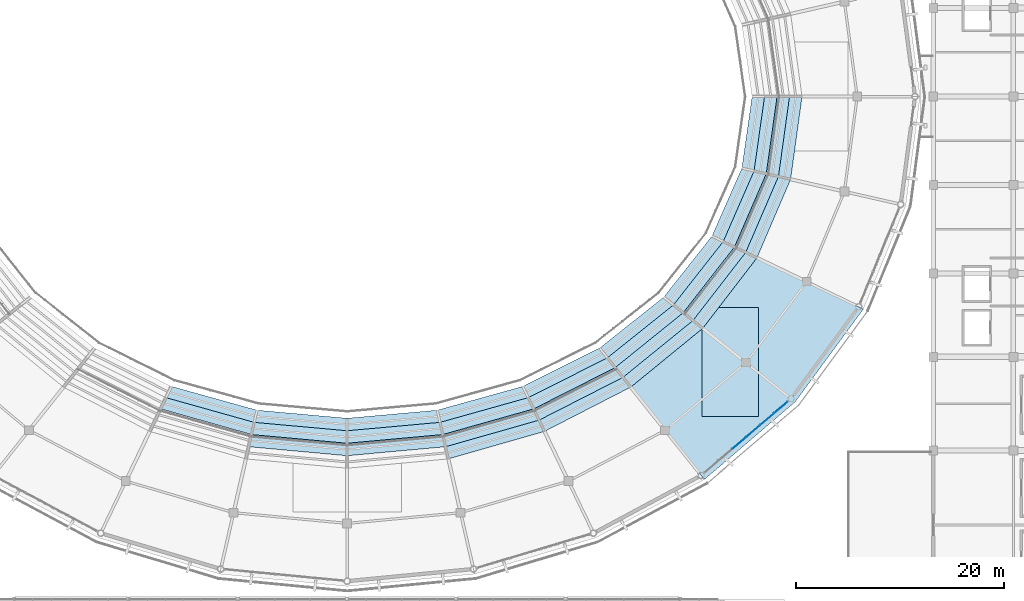
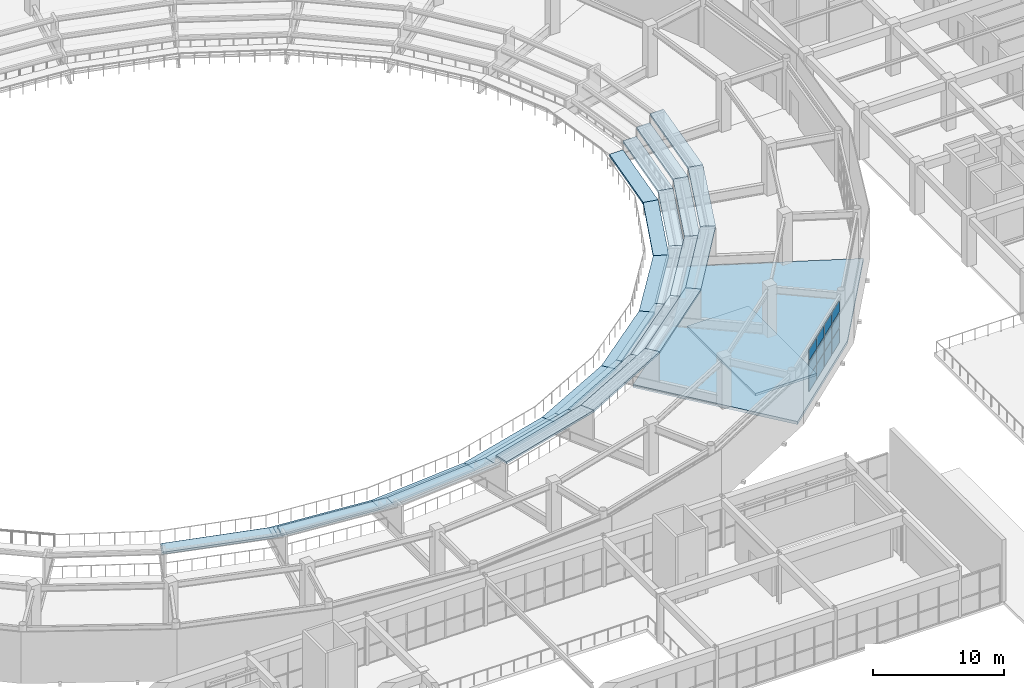
# One storey, part 82 of 122: 34 slabs, 12 plates, 1 element without a shape of its own.
"""IFC4 building model written with IfcOpenShell, lengths in metres."""

from ifc_helpers import new_model, si_unit, direction, frame, origin, origin_2d, place, context, subcontext, project, spatial, polyline, rectangle, outline, extrude, material, layer, layer_set, type_object, element, aggregate, save


model = new_model("IFC4")

# Units and contexts
model_context = context("Model", 3, precision=1e-05, world=origin(), true_north=direction((0.0, 1.0)))
body_context = subcontext(model_context, "Body", "Model", "MODEL_VIEW")
ifc_project = project(units=[si_unit("LENGTHUNIT", "METRE"), si_unit("AREAUNIT", "SQUARE_METRE"), si_unit("VOLUMEUNIT", "CUBIC_METRE"), si_unit("PLANEANGLEUNIT", "RADIAN"), si_unit("MASSUNIT", "GRAM", prefix="KILO")], contexts=[model_context])

# Site, building, storey
site_placement = place(None, origin())
site = spatial("IfcSite", under=ifc_project, at=site_placement, CompositionType="ELEMENT")
building_placement = place(site_placement, origin())
building = spatial("IfcBuilding", under=site, at=building_placement, Name="Cuetzalor Civic Arena", CompositionType="ELEMENT")
storey_placement = place(building_placement, frame((0.0, 0.0, 16.199951171875)))
storey = spatial("IfcBuildingStorey", under=building, at=storey_placement, Name="L03", CompositionType="ELEMENT", Elevation=16.199951171875)

# Curtain wall, plates
ifc_material_1 = material(Name="Anodised dark bronze aluminium and low-E solar glass", Category="aluminium")
curtain_wall_type = type_object("IfcCurtainWallType", Name="UnitisedCW_10550x4050", PredefinedType="USERDEFINED", material=ifc_material_1)
curtain_wall_placement = place(storey_placement, origin())
curtain_wall = element("IfcCurtainWall", 1, at=curtain_wall_placement, inside=storey, type_object=curtain_wall_type, Name="Drum Triangle Foyer Curtain Wall L03-055", ObjectType="UNITISED CURTAIN WALL", PredefinedType="USERDEFINED")
ifc_material_2 = material(Name="Acoustic laminated solar control glass", Category="glass")
ifc_layer_1 = layer(ifc_material_2, 0.0439453125)
ifc_layer_set_1 = layer_set([ifc_layer_1], Name="Acoustic laminated solar control glass")
plate_type = type_object("IfcPlateType", Name="AcousticTripleGlazedPanel_44", PredefinedType="CURTAIN_PANEL", material=ifc_layer_set_1)
plate_1_placement = place(storey_placement, frame((41.655517578125, -29.87109375, 0.06494140625), z_axis=(0.0, 0.0, 1.0), x_axis=(-0.760677142663, -0.64913040649, 0.0)))
plate_1 = element("IfcPlate", 2, at=plate_1_placement, type_object=plate_type, Name="CW-16 panel 1.1", PredefinedType="CURTAIN_PANEL", context=body_context, shape_type="SweptSolid", body=[
    extrude(rectangle(XDim=1.65771484375, YDim=0.0439453125, at=origin_2d()), origin(), (0.0, 0.0, 1.0), 1.361572265625),
])
plate_2_placement = place(storey_placement, frame((41.655517578125, -29.87109375, 1.491455078125), z_axis=(0.0, 0.0, 1.0), x_axis=(-0.760677142663, -0.64913040649, 0.0)))
plate_2 = element("IfcPlate", 3, at=plate_2_placement, type_object=plate_type, Name="CW-16 panel 1.2", PredefinedType="CURTAIN_PANEL", context=body_context, shape_type="SweptSolid", body=[
    extrude(rectangle(XDim=1.65771484375, YDim=0.0439453125, at=origin_2d()), origin(), (0.0, 0.0, 1.0), 1.39404296875),
])
plate_3_placement = place(storey_placement, frame((41.655517578125, -29.87109375, 2.950439453125), z_axis=(0.0, 0.0, 1.0), x_axis=(-0.760677142663, -0.64913040649, 0.0)))
plate_3 = element("IfcPlate", 4, at=plate_3_placement, type_object=plate_type, Name="CW-16 panel 1.3", PredefinedType="CURTAIN_PANEL", context=body_context, shape_type="SweptSolid", body=[
    extrude(rectangle(XDim=1.65771484375, YDim=0.0439453125, at=origin_2d()), origin(), (0.0, 0.0, 1.0), 1.03759765625),
])
plate_4_placement = place(storey_placement, frame((40.332763671875, -31.0, 0.06494140625), z_axis=(0.0, 0.0, 1.0), x_axis=(-0.760677142663, -0.64913040649, 0.0)))
plate_4 = element("IfcPlate", 5, at=plate_4_placement, type_object=plate_type, Name="CW-16 panel 2.1", PredefinedType="CURTAIN_PANEL", context=body_context, shape_type="SweptSolid", body=[
    extrude(rectangle(XDim=1.690185546875, YDim=0.0439453125, at=origin_2d()), origin(), (0.0, 0.0, 1.0), 1.361572265625),
])
plate_5_placement = place(storey_placement, frame((40.332763671875, -31.0, 1.491455078125), z_axis=(0.0, 0.0, 1.0), x_axis=(-0.760677142663, -0.64913040649, 0.0)))
plate_5 = element("IfcPlate", 6, at=plate_5_placement, type_object=plate_type, Name="CW-16 panel 2.2", PredefinedType="CURTAIN_PANEL", context=body_context, shape_type="SweptSolid", body=[
    extrude(rectangle(XDim=1.690185546875, YDim=0.0439453125, at=origin_2d()), origin(), (0.0, 0.0, 1.0), 1.39404296875),
])
plate_6_placement = place(storey_placement, frame((40.332763671875, -31.0, 2.950439453125), z_axis=(0.0, 0.0, 1.0), x_axis=(-0.760677142663, -0.64913040649, 0.0)))
plate_6 = element("IfcPlate", 7, at=plate_6_placement, type_object=plate_type, Name="CW-16 panel 2.3", PredefinedType="CURTAIN_PANEL", context=body_context, shape_type="SweptSolid", body=[
    extrude(rectangle(XDim=1.690185546875, YDim=0.0439453125, at=origin_2d()), origin(), (0.0, 0.0, 1.0), 1.03759765625),
])
plate_7_placement = place(storey_placement, frame((38.997802734375, -32.13916015625, 0.06494140625), z_axis=(0.0, 0.0, 1.0), x_axis=(-0.760677142663, -0.64913040649, 0.0)))
plate_7 = element("IfcPlate", 8, at=plate_7_placement, type_object=plate_type, Name="CW-16 panel 3.1", PredefinedType="CURTAIN_PANEL", context=body_context, shape_type="SweptSolid", body=[
    extrude(rectangle(XDim=1.690185546875, YDim=0.0439453125, at=origin_2d()), origin(), (0.0, 0.0, 1.0), 1.361572265625),
])
plate_8_placement = place(storey_placement, frame((38.997802734375, -32.13916015625, 1.491455078125), z_axis=(0.0, 0.0, 1.0), x_axis=(-0.760677142663, -0.64913040649, 0.0)))
plate_8 = element("IfcPlate", 9, at=plate_8_placement, type_object=plate_type, Name="CW-16 panel 3.2", PredefinedType="CURTAIN_PANEL", context=body_context, shape_type="SweptSolid", body=[
    extrude(rectangle(XDim=1.690185546875, YDim=0.0439453125, at=origin_2d()), origin(), (0.0, 0.0, 1.0), 1.39404296875),
])
plate_9_placement = place(storey_placement, frame((38.997802734375, -32.13916015625, 2.950439453125), z_axis=(0.0, 0.0, 1.0), x_axis=(-0.760677142663, -0.64913040649, 0.0)))
plate_9 = element("IfcPlate", 10, at=plate_9_placement, type_object=plate_type, Name="CW-16 panel 3.3", PredefinedType="CURTAIN_PANEL", context=body_context, shape_type="SweptSolid", body=[
    extrude(rectangle(XDim=1.690185546875, YDim=0.0439453125, at=origin_2d()), origin(), (0.0, 0.0, 1.0), 1.03759765625),
])
plate_10_placement = place(storey_placement, frame((37.66259765625, -33.278564453125, 0.06494140625), z_axis=(0.0, 0.0, 1.0), x_axis=(-0.760677142663, -0.64913040649, 0.0)))
plate_10 = element("IfcPlate", 11, at=plate_10_placement, type_object=plate_type, Name="CW-16 panel 4.1", PredefinedType="CURTAIN_PANEL", context=body_context, shape_type="SweptSolid", body=[
    extrude(rectangle(XDim=1.690185546875, YDim=0.0439453125, at=origin_2d()), origin(), (0.0, 0.0, 1.0), 1.361572265625),
])
plate_11_placement = place(storey_placement, frame((37.66259765625, -33.278564453125, 1.491455078125), z_axis=(0.0, 0.0, 1.0), x_axis=(-0.760677142663, -0.64913040649, 0.0)))
plate_11 = element("IfcPlate", 12, at=plate_11_placement, type_object=plate_type, Name="CW-16 panel 4.2", PredefinedType="CURTAIN_PANEL", context=body_context, shape_type="SweptSolid", body=[
    extrude(rectangle(XDim=1.690185546875, YDim=0.0439453125, at=origin_2d()), origin(), (0.0, 0.0, 1.0), 1.39404296875),
])
plate_12_placement = place(storey_placement, frame((37.66259765625, -33.278564453125, 2.950439453125), z_axis=(0.0, 0.0, 1.0), x_axis=(-0.760677142663, -0.64913040649, 0.0)))
plate_12 = element("IfcPlate", 13, at=plate_12_placement, type_object=plate_type, Name="CW-16 panel 4.3", PredefinedType="CURTAIN_PANEL", context=body_context, shape_type="SweptSolid", body=[
    extrude(rectangle(XDim=1.690185546875, YDim=0.0439453125, at=origin_2d()), origin(), (0.0, 0.0, 1.0), 1.03759765625),
])
aggregate(curtain_wall, [plate_1, plate_2, plate_3, plate_4, plate_5, plate_6, plate_7, plate_8, plate_9, plate_10, plate_11, plate_12])

# Slabs
ifc_material_3 = material(Name="Concrete C40/50", Category="concrete")
ifc_layer_2 = layer(ifc_material_3, 0.219970703125)
ifc_layer_set_2 = layer_set([ifc_layer_2], Name="Concrete C40/50")
slab_type_1 = type_object("IfcSlabType", Name="LiftShaftRoofCapSlab_220", PredefinedType="ROOF", material=ifc_layer_set_2)
slab_1_placement = place(storey_placement, frame((0.0, 0.0, -1.199951171875)))
element("IfcSlab", 14, at=slab_1_placement, inside=storey, type_object=slab_type_1, Name="Stair Core Enclosure Cap Slab ST-08", PredefinedType="ROOF", context=body_context, shape_type="SweptSolid", body=[
    extrude(outline(polyline([(34.080078125, -30.719970703125), (39.52001953125, -30.719970703125), (39.52001953125, -20.280029296875), (34.080078125, -20.280029296875), (34.080078125, -30.719970703125)])), origin(), (0.0, 0.0, 1.0), 0.219970703125),
])
ifc_material_4 = material(Name="Concrete C35/45", Category="concrete")
ifc_layer_3 = layer(ifc_material_4, 0.280029296875)
ifc_layer_set_3 = layer_set([ifc_layer_3], Name="Concrete C35/45")
slab_type_2 = type_object("IfcSlabType", Name="SuspendedFloorSlab_280", PredefinedType="FLOOR", material=ifc_layer_set_3)
slab_2_placement = place(storey_placement, frame((0.0, 0.0, -0.280029296875)))
element("IfcSlab", 15, at=slab_2_placement, inside=storey, type_object=slab_type_2, Name="Arena Concourse Sector Slab L03-13", PredefinedType="FLOOR", context=body_context, shape_type="SweptSolid", body=[
    extrude(outline(polyline([(25.874755859375, -26.19140625), (32.446044921875, -20.886962890625), (37.39013671875, -14.53515625), (49.598388671875, -20.414306640625), (43.039794921875, -29.335205078125), (34.322998046875, -36.78515625), (25.874755859375, -26.19140625)])), origin(), (0.0, 0.0, 1.0), 0.280029296875),
])
ifc_material_5 = material(Name="Precast concrete C45/55", Category="concrete")
ifc_layer_4 = layer(ifc_material_5, 0.195068359375)
ifc_layer_set_4 = layer_set([ifc_layer_4], Name="Precast concrete C45/55")
slab_type_3 = type_object("IfcSlabType", Name="UpperBowlSeatingTier_160", PredefinedType="USERDEFINED", material=ifc_layer_set_4)
slab_3_placement = place(storey_placement, frame((0.0, 0.0, 0.9111328125)))
element("IfcSlab", 16, at=slab_3_placement, inside=storey, type_object=slab_type_3, Name="Stand Upper Tier Bay 20 Row 1", ObjectType="SEATING TIER", PredefinedType="USERDEFINED", context=body_context, shape_type="SweptSolid", body=[
    extrude(outline(polyline([(-16.878173828125, -27.83984375), (-8.656005859375, -30.125244140625), (-8.923095703125, -31.295166015625), (-17.398681640625, -28.921142578125), (-16.878173828125, -27.83984375)])), origin(), (0.0, 0.0, 1.0), 0.19482421875),
])
slab_4_placement = place(storey_placement, frame((0.0, 0.0, 1.755126953125)))
element("IfcSlab", 17, at=slab_4_placement, inside=storey, type_object=slab_type_3, Name="Stand Upper Tier Bay 20 Row 2", ObjectType="SEATING TIER", PredefinedType="USERDEFINED", context=body_context, shape_type="SweptSolid", body=[
    extrude(outline(polyline([(-17.398681640625, -28.921142578125), (-8.923095703125, -31.295166015625), (-9.190185546875, -32.465087890625), (-17.91943359375, -30.002197265625), (-17.398681640625, -28.921142578125)])), origin(), (0.0, 0.0, 1.0), 0.19482421875),
])
slab_5_placement = place(storey_placement, frame((0.0, 0.0, 0.9111328125)))
element("IfcSlab", 18, at=slab_5_placement, inside=storey, type_object=slab_type_3, Name="Stand Upper Tier Bay 21 Row 1", ObjectType="SEATING TIER", PredefinedType="USERDEFINED", context=body_context, shape_type="SweptSolid", body=[
    extrude(outline(polyline([(-8.656005859375, -30.125244140625), (0.0, -30.89990234375), (0.0, -32.10009765625), (-8.923095703125, -31.295166015625), (-8.656005859375, -30.125244140625)])), origin(), (0.0, 0.0, 1.0), 0.19482421875),
])
slab_6_placement = place(storey_placement, frame((0.0, 0.0, 1.755126953125)))
element("IfcSlab", 19, at=slab_6_placement, inside=storey, type_object=slab_type_3, Name="Stand Upper Tier Bay 21 Row 2", ObjectType="SEATING TIER", PredefinedType="USERDEFINED", context=body_context, shape_type="SweptSolid", body=[
    extrude(outline(polyline([(-8.923095703125, -31.295166015625), (0.0, -32.10009765625), (0.0, -33.300048828125), (-9.190185546875, -32.465087890625), (-8.923095703125, -31.295166015625)])), origin(), (0.0, 0.0, 1.0), 0.19482421875),
])
slab_7_placement = place(storey_placement, frame((0.0, 0.0, 2.60498046875)))
element("IfcSlab", 20, at=slab_7_placement, inside=storey, type_object=slab_type_3, Name="Stand Upper Tier Bay 21 Row 3", ObjectType="SEATING TIER", PredefinedType="USERDEFINED", context=body_context, shape_type="SweptSolid", body=[
    extrude(outline(polyline([(-9.190185546875, -32.465087890625), (0.0, -33.300048828125), (0.0, -34.5), (-9.45703125, -33.635009765625), (-9.190185546875, -32.465087890625)])), origin(), (0.0, 0.0, 1.0), 0.195068359375),
])
slab_8_placement = place(storey_placement, frame((0.0, 0.0, 0.9111328125)))
element("IfcSlab", 21, at=slab_8_placement, inside=storey, type_object=slab_type_3, Name="Stand Upper Tier Bay 22 Row 1", ObjectType="SEATING TIER", PredefinedType="USERDEFINED", context=body_context, shape_type="SweptSolid", body=[
    extrude(outline(polyline([(0.0, -30.89990234375), (8.656005859375, -30.125244140625), (8.923095703125, -31.295166015625), (0.0, -32.10009765625), (0.0, -30.89990234375)])), origin(), (0.0, 0.0, 1.0), 0.19482421875),
])
slab_9_placement = place(storey_placement, frame((0.0, 0.0, 1.755126953125)))
element("IfcSlab", 22, at=slab_9_placement, inside=storey, type_object=slab_type_3, Name="Stand Upper Tier Bay 22 Row 2", ObjectType="SEATING TIER", PredefinedType="USERDEFINED", context=body_context, shape_type="SweptSolid", body=[
    extrude(outline(polyline([(0.0, -32.10009765625), (8.923095703125, -31.295166015625), (9.190185546875, -32.465087890625), (0.0, -33.300048828125), (0.0, -32.10009765625)])), origin(), (0.0, 0.0, 1.0), 0.19482421875),
])
slab_10_placement = place(storey_placement, frame((0.0, 0.0, 2.60498046875)))
element("IfcSlab", 23, at=slab_10_placement, inside=storey, type_object=slab_type_3, Name="Stand Upper Tier Bay 22 Row 3", ObjectType="SEATING TIER", PredefinedType="USERDEFINED", context=body_context, shape_type="SweptSolid", body=[
    extrude(outline(polyline([(0.0, -33.300048828125), (9.190185546875, -32.465087890625), (9.45703125, -33.635009765625), (0.0, -34.5), (0.0, -33.300048828125)])), origin(), (0.0, 0.0, 1.0), 0.195068359375),
])
slab_11_placement = place(storey_placement, frame((0.0, 0.0, 0.9111328125)))
element("IfcSlab", 24, at=slab_11_placement, inside=storey, type_object=slab_type_3, Name="Stand Upper Tier Bay 23 Row 1", ObjectType="SEATING TIER", PredefinedType="USERDEFINED", context=body_context, shape_type="SweptSolid", body=[
    extrude(outline(polyline([(8.656005859375, -30.125244140625), (16.878173828125, -27.83984375), (17.398681640625, -28.921142578125), (8.923095703125, -31.295166015625), (8.656005859375, -30.125244140625)])), origin(), (0.0, 0.0, 1.0), 0.19482421875),
])
slab_12_placement = place(storey_placement, frame((0.0, 0.0, 1.755126953125)))
element("IfcSlab", 25, at=slab_12_placement, inside=storey, type_object=slab_type_3, Name="Stand Upper Tier Bay 23 Row 2", ObjectType="SEATING TIER", PredefinedType="USERDEFINED", context=body_context, shape_type="SweptSolid", body=[
    extrude(outline(polyline([(8.923095703125, -31.295166015625), (17.398681640625, -28.921142578125), (17.91943359375, -30.002197265625), (9.190185546875, -32.465087890625), (8.923095703125, -31.295166015625)])), origin(), (0.0, 0.0, 1.0), 0.19482421875),
])
slab_13_placement = place(storey_placement, frame((0.0, 0.0, 2.60498046875)))
element("IfcSlab", 26, at=slab_13_placement, inside=storey, type_object=slab_type_3, Name="Stand Upper Tier Bay 23 Row 3", ObjectType="SEATING TIER", PredefinedType="USERDEFINED", context=body_context, shape_type="SweptSolid", body=[
    extrude(outline(polyline([(9.190185546875, -32.465087890625), (17.91943359375, -30.002197265625), (18.440185546875, -31.08349609375), (9.45703125, -33.635009765625), (9.190185546875, -32.465087890625)])), origin(), (0.0, 0.0, 1.0), 0.195068359375),
])
slab_14_placement = place(storey_placement, frame((0.0, 0.0, 3.455078125)))
element("IfcSlab", 27, at=slab_14_placement, inside=storey, type_object=slab_type_3, Name="Stand Upper Tier Bay 23 Row 4", ObjectType="SEATING TIER", PredefinedType="USERDEFINED", context=body_context, shape_type="SweptSolid", body=[
    extrude(outline(polyline([(9.45703125, -33.635009765625), (18.440185546875, -31.08349609375), (18.960693359375, -32.16455078125), (9.72412109375, -34.804931640625), (9.45703125, -33.635009765625)])), origin(), (0.0, 0.0, 1.0), 0.195068359375),
])
slab_15_placement = place(storey_placement, frame((0.0, 0.0, 0.9111328125)))
element("IfcSlab", 28, at=slab_15_placement, inside=storey, type_object=slab_type_3, Name="Stand Upper Tier Bay 24 Row 1", ObjectType="SEATING TIER", PredefinedType="USERDEFINED", context=body_context, shape_type="SweptSolid", body=[
    extrude(outline(polyline([(16.878173828125, -27.83984375), (24.25390625, -24.15869140625), (25.001953125, -25.0966796875), (17.398681640625, -28.921142578125), (16.878173828125, -27.83984375)])), origin(), (0.0, 0.0, 1.0), 0.19482421875),
])
slab_16_placement = place(storey_placement, frame((0.0, 0.0, 1.755126953125)))
element("IfcSlab", 29, at=slab_16_placement, inside=storey, type_object=slab_type_3, Name="Stand Upper Tier Bay 24 Row 2", ObjectType="SEATING TIER", PredefinedType="USERDEFINED", context=body_context, shape_type="SweptSolid", body=[
    extrude(outline(polyline([(17.398681640625, -28.921142578125), (25.001953125, -25.0966796875), (25.75, -26.034912109375), (17.91943359375, -30.002197265625), (17.398681640625, -28.921142578125)])), origin(), (0.0, 0.0, 1.0), 0.19482421875),
])
slab_17_placement = place(storey_placement, frame((0.0, 0.0, 2.60498046875)))
element("IfcSlab", 30, at=slab_17_placement, inside=storey, type_object=slab_type_3, Name="Stand Upper Tier Bay 24 Row 3", ObjectType="SEATING TIER", PredefinedType="USERDEFINED", context=body_context, shape_type="SweptSolid", body=[
    extrude(outline(polyline([(17.91943359375, -30.002197265625), (25.75, -26.034912109375), (26.498291015625, -26.97314453125), (18.440185546875, -31.08349609375), (17.91943359375, -30.002197265625)])), origin(), (0.0, 0.0, 1.0), 0.195068359375),
])
slab_18_placement = place(storey_placement, frame((0.0, 0.0, 3.455078125)))
element("IfcSlab", 31, at=slab_18_placement, inside=storey, type_object=slab_type_3, Name="Stand Upper Tier Bay 24 Row 4", ObjectType="SEATING TIER", PredefinedType="USERDEFINED", context=body_context, shape_type="SweptSolid", body=[
    extrude(outline(polyline([(18.440185546875, -31.08349609375), (26.498291015625, -26.97314453125), (27.24658203125, -27.911376953125), (18.960693359375, -32.16455078125), (18.440185546875, -31.08349609375)])), origin(), (0.0, 0.0, 1.0), 0.195068359375),
])
slab_19_placement = place(storey_placement, frame((0.0, 0.0, 0.9111328125)))
element("IfcSlab", 32, at=slab_19_placement, inside=storey, type_object=slab_type_3, Name="Stand Upper Tier Bay 25 Row 1", ObjectType="SEATING TIER", PredefinedType="USERDEFINED", context=body_context, shape_type="SweptSolid", body=[
    extrude(outline(polyline([(24.25390625, -24.15869140625), (30.4130859375, -19.265869140625), (31.351318359375, -20.013916015625), (25.001953125, -25.0966796875), (24.25390625, -24.15869140625)])), origin(), (0.0, 0.0, 1.0), 0.19482421875),
])
slab_20_placement = place(storey_placement, frame((0.0, 0.0, 1.755126953125)))
element("IfcSlab", 33, at=slab_20_placement, inside=storey, type_object=slab_type_3, Name="Stand Upper Tier Bay 25 Row 2", ObjectType="SEATING TIER", PredefinedType="USERDEFINED", context=body_context, shape_type="SweptSolid", body=[
    extrude(outline(polyline([(25.001953125, -25.0966796875), (31.351318359375, -20.013916015625), (32.28955078125, -20.76220703125), (25.75, -26.034912109375), (25.001953125, -25.0966796875)])), origin(), (0.0, 0.0, 1.0), 0.19482421875),
])
slab_21_placement = place(storey_placement, frame((0.0, 0.0, 2.60498046875)))
element("IfcSlab", 34, at=slab_21_placement, inside=storey, type_object=slab_type_3, Name="Stand Upper Tier Bay 25 Row 3", ObjectType="SEATING TIER", PredefinedType="USERDEFINED", context=body_context, shape_type="SweptSolid", body=[
    extrude(outline(polyline([(25.75, -26.034912109375), (32.28955078125, -20.76220703125), (33.227783203125, -21.510498046875), (26.498291015625, -26.97314453125), (25.75, -26.034912109375)])), origin(), (0.0, 0.0, 1.0), 0.195068359375),
])
slab_22_placement = place(storey_placement, frame((0.0, 0.0, 3.455078125)))
element("IfcSlab", 35, at=slab_22_placement, inside=storey, type_object=slab_type_3, Name="Stand Upper Tier Bay 25 Row 4", ObjectType="SEATING TIER", PredefinedType="USERDEFINED", context=body_context, shape_type="SweptSolid", body=[
    extrude(outline(polyline([(26.498291015625, -26.97314453125), (33.227783203125, -21.510498046875), (34.166015625, -22.258544921875), (27.24658203125, -27.911376953125), (26.498291015625, -26.97314453125)])), origin(), (0.0, 0.0, 1.0), 0.195068359375),
])
slab_23_placement = place(storey_placement, frame((0.0, 0.0, 0.9111328125)))
element("IfcSlab", 36, at=slab_23_placement, inside=storey, type_object=slab_type_3, Name="Stand Upper Tier Bay 26 Row 1", ObjectType="SEATING TIER", PredefinedType="USERDEFINED", context=body_context, shape_type="SweptSolid", body=[
    extrude(outline(polyline([(30.4130859375, -19.265869140625), (35.047607421875, -13.406982421875), (36.12890625, -13.927734375), (31.351318359375, -20.013916015625), (30.4130859375, -19.265869140625)])), origin(), (0.0, 0.0, 1.0), 0.19482421875),
])
slab_24_placement = place(storey_placement, frame((0.0, 0.0, 1.755126953125)))
element("IfcSlab", 37, at=slab_24_placement, inside=storey, type_object=slab_type_3, Name="Stand Upper Tier Bay 26 Row 2", ObjectType="SEATING TIER", PredefinedType="USERDEFINED", context=body_context, shape_type="SweptSolid", body=[
    extrude(outline(polyline([(31.351318359375, -20.013916015625), (36.12890625, -13.927734375), (37.2099609375, -14.4482421875), (32.28955078125, -20.76220703125), (31.351318359375, -20.013916015625)])), origin(), (0.0, 0.0, 1.0), 0.19482421875),
])
slab_25_placement = place(storey_placement, frame((0.0, 0.0, 2.60498046875)))
element("IfcSlab", 38, at=slab_25_placement, inside=storey, type_object=slab_type_3, Name="Stand Upper Tier Bay 26 Row 3", ObjectType="SEATING TIER", PredefinedType="USERDEFINED", context=body_context, shape_type="SweptSolid", body=[
    extrude(outline(polyline([(32.28955078125, -20.76220703125), (37.2099609375, -14.4482421875), (38.291259765625, -14.968994140625), (33.227783203125, -21.510498046875), (32.28955078125, -20.76220703125)])), origin(), (0.0, 0.0, 1.0), 0.195068359375),
])
slab_26_placement = place(storey_placement, frame((0.0, 0.0, 3.455078125)))
element("IfcSlab", 39, at=slab_26_placement, inside=storey, type_object=slab_type_3, Name="Stand Upper Tier Bay 26 Row 4", ObjectType="SEATING TIER", PredefinedType="USERDEFINED", context=body_context, shape_type="SweptSolid", body=[
    extrude(outline(polyline([(33.227783203125, -21.510498046875), (38.291259765625, -14.968994140625), (39.372314453125, -15.489501953125), (34.166015625, -22.258544921875), (33.227783203125, -21.510498046875)])), origin(), (0.0, 0.0, 1.0), 0.195068359375),
])
slab_27_placement = place(storey_placement, frame((0.0, 0.0, 0.9111328125)))
element("IfcSlab", 40, at=slab_27_placement, inside=storey, type_object=slab_type_3, Name="Stand Upper Tier Bay 27 Row 1", ObjectType="SEATING TIER", PredefinedType="USERDEFINED", context=body_context, shape_type="SweptSolid", body=[
    extrude(outline(polyline([(35.047607421875, -13.406982421875), (37.9248046875, -6.8759765625), (39.094482421875, -7.142822265625), (36.12890625, -13.927734375), (35.047607421875, -13.406982421875)])), origin(), (0.0, 0.0, 1.0), 0.19482421875),
])
slab_28_placement = place(storey_placement, frame((0.0, 0.0, 1.755126953125)))
element("IfcSlab", 41, at=slab_28_placement, inside=storey, type_object=slab_type_3, Name="Stand Upper Tier Bay 27 Row 2", ObjectType="SEATING TIER", PredefinedType="USERDEFINED", context=body_context, shape_type="SweptSolid", body=[
    extrude(outline(polyline([(36.12890625, -13.927734375), (39.094482421875, -7.142822265625), (40.264404296875, -7.409912109375), (37.2099609375, -14.4482421875), (36.12890625, -13.927734375)])), origin(), (0.0, 0.0, 1.0), 0.19482421875),
])
slab_29_placement = place(storey_placement, frame((0.0, 0.0, 2.60498046875)))
element("IfcSlab", 42, at=slab_29_placement, inside=storey, type_object=slab_type_3, Name="Stand Upper Tier Bay 27 Row 3", ObjectType="SEATING TIER", PredefinedType="USERDEFINED", context=body_context, shape_type="SweptSolid", body=[
    extrude(outline(polyline([(37.2099609375, -14.4482421875), (40.264404296875, -7.409912109375), (41.434326171875, -7.677001953125), (38.291259765625, -14.968994140625), (37.2099609375, -14.4482421875)])), origin(), (0.0, 0.0, 1.0), 0.195068359375),
])
slab_30_placement = place(storey_placement, frame((0.0, 0.0, 3.455078125)))
element("IfcSlab", 43, at=slab_30_placement, inside=storey, type_object=slab_type_3, Name="Stand Upper Tier Bay 27 Row 4", ObjectType="SEATING TIER", PredefinedType="USERDEFINED", context=body_context, shape_type="SweptSolid", body=[
    extrude(outline(polyline([(38.291259765625, -14.968994140625), (41.434326171875, -7.677001953125), (42.604248046875, -7.944091796875), (39.372314453125, -15.489501953125), (38.291259765625, -14.968994140625)])), origin(), (0.0, 0.0, 1.0), 0.195068359375),
])
slab_31_placement = place(storey_placement, frame((0.0, 0.0, 0.9111328125)))
element("IfcSlab", 44, at=slab_31_placement, inside=storey, type_object=slab_type_3, Name="Stand Upper Tier Bay 28 Row 1", ObjectType="SEATING TIER", PredefinedType="USERDEFINED", context=body_context, shape_type="SweptSolid", body=[
    extrude(outline(polyline([(37.9248046875, -6.8759765625), (38.89990234375, 0.0), (40.10009765625, 0.0), (39.094482421875, -7.142822265625), (37.9248046875, -6.8759765625)])), origin(), (0.0, 0.0, 1.0), 0.19482421875),
])
slab_32_placement = place(storey_placement, frame((0.0, 0.0, 1.755126953125)))
element("IfcSlab", 45, at=slab_32_placement, inside=storey, type_object=slab_type_3, Name="Stand Upper Tier Bay 28 Row 2", ObjectType="SEATING TIER", PredefinedType="USERDEFINED", context=body_context, shape_type="SweptSolid", body=[
    extrude(outline(polyline([(39.094482421875, -7.142822265625), (40.10009765625, 0.0), (41.300048828125, 0.0), (40.264404296875, -7.409912109375), (39.094482421875, -7.142822265625)])), origin(), (0.0, 0.0, 1.0), 0.19482421875),
])
slab_33_placement = place(storey_placement, frame((0.0, 0.0, 2.60498046875)))
element("IfcSlab", 46, at=slab_33_placement, inside=storey, type_object=slab_type_3, Name="Stand Upper Tier Bay 28 Row 3", ObjectType="SEATING TIER", PredefinedType="USERDEFINED", context=body_context, shape_type="SweptSolid", body=[
    extrude(outline(polyline([(40.264404296875, -7.409912109375), (41.300048828125, 0.0), (42.5, 0.0), (41.434326171875, -7.677001953125), (40.264404296875, -7.409912109375)])), origin(), (0.0, 0.0, 1.0), 0.195068359375),
])
slab_34_placement = place(storey_placement, frame((0.0, 0.0, 3.455078125)))
element("IfcSlab", 47, at=slab_34_placement, inside=storey, type_object=slab_type_3, Name="Stand Upper Tier Bay 28 Row 4", ObjectType="SEATING TIER", PredefinedType="USERDEFINED", context=body_context, shape_type="SweptSolid", body=[
    extrude(outline(polyline([(41.434326171875, -7.677001953125), (42.5, 0.0), (43.699951171875, 0.0), (42.604248046875, -7.944091796875), (41.434326171875, -7.677001953125)])), origin(), (0.0, 0.0, 1.0), 0.195068359375),
])

save(model, "model.ifc")
